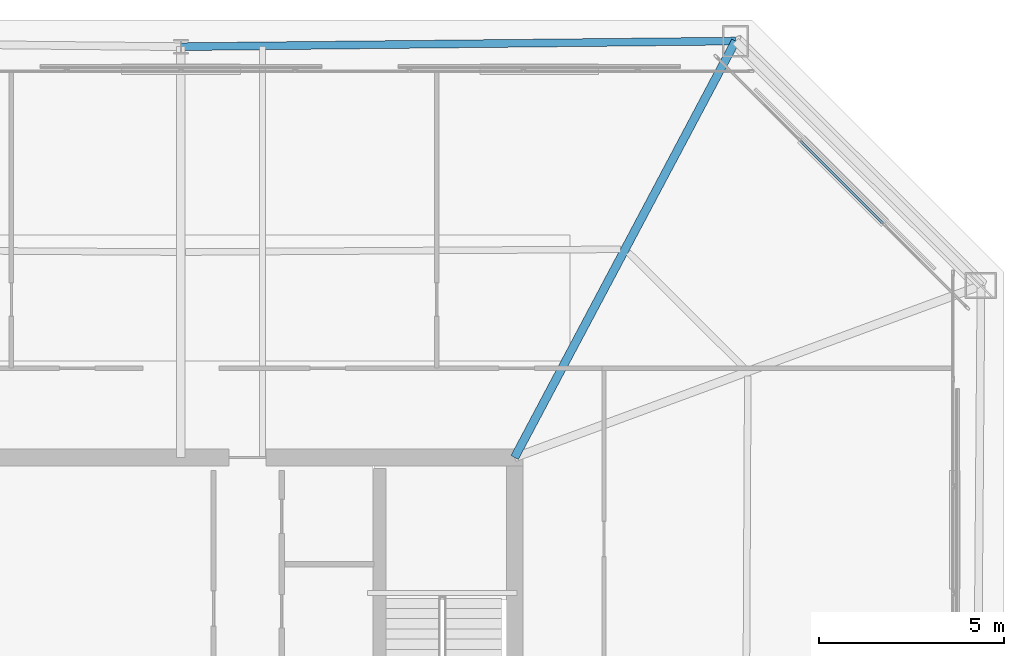
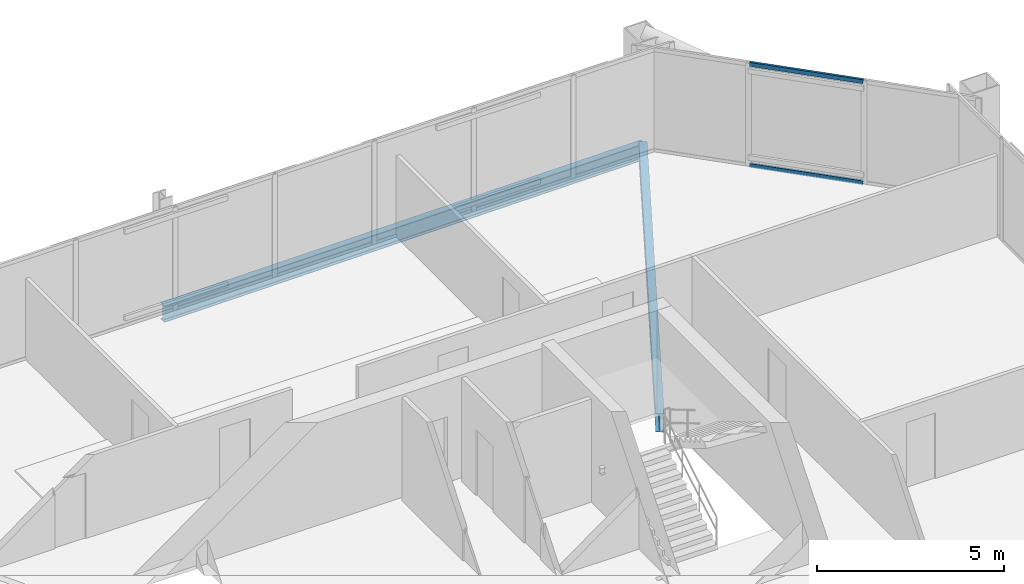
# One storey, part 32 of 39: 2 beams, 2 members, 1 element without a shape of its own.
"""IFC4 building model written with IfcOpenShell, lengths in metres."""

from ifc_helpers import new_model, si_unit, direction, frame, origin, origin_2d, place, context, subcontext, project, spatial, hollow_rectangle, i_section, extrude, material, layer, layer_set, material_profile, profile_set, type_object, element, aggregate, save


model = new_model("IFC4")

# Units and contexts
model_context = context("Model", 3, precision=1e-05, world=origin(), true_north=direction((0.0, 1.0)))
body_context = subcontext(model_context, "Body", "Model", "MODEL_VIEW")
ifc_project = project(units=[si_unit("LENGTHUNIT", "METRE"), si_unit("AREAUNIT", "SQUARE_METRE"), si_unit("VOLUMEUNIT", "CUBIC_METRE"), si_unit("PLANEANGLEUNIT", "RADIAN"), si_unit("MASSUNIT", "GRAM", prefix="KILO")], contexts=[model_context])

# Site, building, storey
site_placement = place(None, origin())
site = spatial("IfcSite", under=ifc_project, at=site_placement, CompositionType="ELEMENT")
building_placement = place(site_placement, origin())
building = spatial("IfcBuilding", under=site, at=building_placement, Name="Caelvoria Tower", CompositionType="ELEMENT")
storey_placement = place(building_placement, frame((0.0, 0.0, 198.60009765625)))
storey = spatial("IfcBuildingStorey", under=building, at=storey_placement, Name="L52", CompositionType="ELEMENT", Elevation=198.60009765625)

# Curtain wall, members
ifc_material_1 = material(Name="Anodised Bronze Aluminium and Low-E Glass", Category="aluminium")
ifc_layer = layer(ifc_material_1, 0.175048828125, Name="Anodised Bronze Aluminium and Low-E Glass")
ifc_layer_set = layer_set([ifc_layer], Name="CW System 4 High-Zone Tapered Crystal Facade - Anodised Bronze Aluminium and Low-E Glass")
curtain_wall_type = type_object("IfcCurtainWallType", Name="CW System 4 High-Zone Tapered Crystal Facade", PredefinedType="NOTDEFINED", material=ifc_layer_set)
curtain_wall_placement = place(storey_placement, origin())
curtain_wall = element("IfcCurtainWall", 1, at=curtain_wall_placement, inside=storey, type_object=curtain_wall_type, Name="CW-04 Curtain Wall L52-E3", PredefinedType="NOTDEFINED")
ifc_material_2 = material(Name="Anodised Bronze Architectural Aluminium", Category="aluminium")
ifc_material_profile_1 = material_profile(ifc_material_2, hollow_rectangle(XDim=0.06494140625, YDim=0.1298828125, WallThickness=0.00341796875, at=origin_2d()), Name="Anodised Bronze Architectural Aluminium")
ifc_profile_set_1 = profile_set([ifc_material_profile_1], Name="CW_TRAN_65X130 - Anodised Bronze Architectural Aluminium")
member_type = type_object("IfcMemberType", Name="Curtain Wall Transom 65x130 Bronze Aluminium", PredefinedType="USERDEFINED", material=ifc_profile_set_1)
member_1_placement = place(storey_placement, frame((64.9345703125, 46.31396484375, 0.032470703125), z_axis=(-0.707106781187, 0.707106781187, 0.0), x_axis=(-0.707106781187, -0.707106781187, 0.0)))
member_1 = element("IfcMember", 2, at=member_1_placement, type_object=member_type, Name="CW-04 transom 2.1", ObjectType="TRANSOM", PredefinedType="USERDEFINED", context=body_context, shape_type="SweptSolid", body=[
    extrude(hollow_rectangle(XDim=0.06494140625, YDim=0.1298828125, WallThickness=0.00341796875, at=origin_2d()), origin(), (0.0, 0.0, 1.0), 3.140625),
])
member_2_placement = place(storey_placement, frame((64.9345703125, 46.31396484375, 3.34228515625), z_axis=(-0.707106781187, 0.707106781187, 0.0), x_axis=(-0.707106781187, -0.707106781187, 0.0)))
member_2 = element("IfcMember", 3, at=member_2_placement, type_object=member_type, Name="CW-04 transom 2.2", ObjectType="TRANSOM", PredefinedType="USERDEFINED", context=body_context, shape_type="SweptSolid", body=[
    extrude(hollow_rectangle(XDim=0.06494140625, YDim=0.1298828125, WallThickness=0.00341796875, at=origin_2d()), origin(), (0.0, 0.0, 1.0), 3.140625),
])
aggregate(curtain_wall, [member_1, member_2])

# Beams
ifc_material_3 = material(Name="Structural Steel ASTM A992 Gr.50", Category="steel")
ifc_material_profile_2 = material_profile(ifc_material_3, i_section(OverallWidth=0.22802734375, OverallDepth=0.60302734375, WebThickness=0.010498046875, FlangeThickness=0.014892578125, FilletRadius=0.01806640625, at=origin_2d()), Name="Structural Steel ASTM A992 Gr.50")
ifc_profile_set_2 = profile_set([ifc_material_profile_2], Name="W610X101 - Structural Steel ASTM A992 Gr.50")
beam_type_1 = type_object("IfcBeamType", Name="Primary Floor Girder W610X101", PredefinedType="BEAM", material=ifc_profile_set_2)
beam_1_placement = place(storey_placement, frame((55.0, 40.0, -0.526611328125), z_axis=(0.468613670085, 0.883403208173, 0.0), x_axis=(-0.883403208173, 0.468613670085, 0.0)))
element("IfcBeam", 4, at=beam_1_placement, inside=storey, type_object=beam_type_1, Name="Primary Floor Girder L52-06", PredefinedType="BEAM", context=body_context, shape_type="SweptSolid", body=[
    extrude(i_section(OverallWidth=0.22802734375, OverallDepth=0.60302734375, WebThickness=0.010498046875, FlangeThickness=0.014892578125, FilletRadius=0.01806640625, at=origin_2d()), origin(), (0.0, 0.0, 1.0), 12.714111328125),
])
ifc_material_profile_3 = material_profile(ifc_material_3, i_section(OverallWidth=0.208984375, OverallDepth=0.532958984375, WebThickness=0.01025390625, FlangeThickness=0.015625, FilletRadius=0.01611328125, at=origin_2d()), Name="Structural Steel ASTM A992 Gr.50")
ifc_profile_set_3 = profile_set([ifc_material_profile_3], Name="W530X92 - Structural Steel ASTM A992 Gr.50")
beam_type_2 = type_object("IfcBeamType", Name="Upper Zone Spandrel W530X92", PredefinedType="BEAM", material=ifc_profile_set_3)
beam_2_placement = place(storey_placement, frame((60.9580078125, 51.231689453125, -0.49169921875), z_axis=(-0.999948636769, -0.01013527622, 0.0), x_axis=(0.01013527622, -0.999948636769, 0.0)))
element("IfcBeam", 5, at=beam_2_placement, inside=storey, type_object=beam_type_2, Name="Perimeter Spandrel Girder L52-06", PredefinedType="BEAM", context=body_context, shape_type="SweptSolid", body=[
    extrude(i_section(OverallWidth=0.208984375, OverallDepth=0.532958984375, WebThickness=0.01025390625, FlangeThickness=0.015625, FilletRadius=0.01611328125, at=origin_2d()), origin(), (0.0, 0.0, 1.0), 14.958740234375),
])

save(model, "model.ifc")
